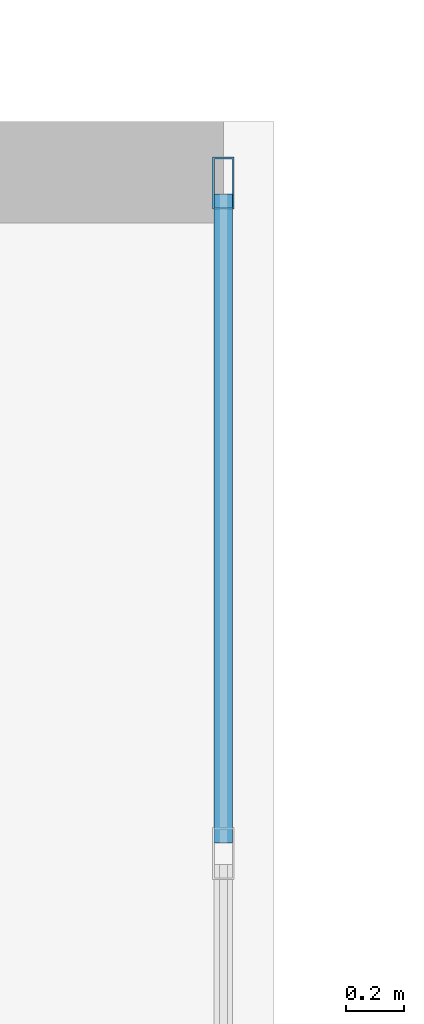
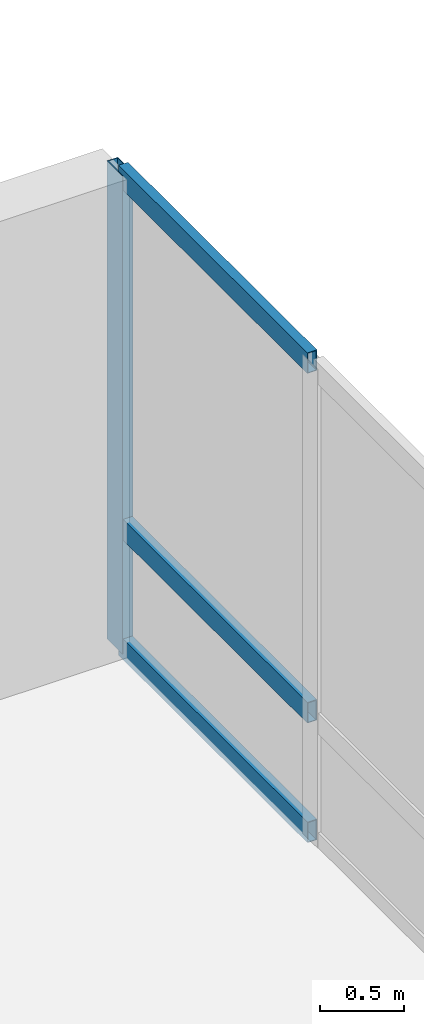
# One storey, part 4 of 16: 4 members, 1 element without a shape of its own.
"""IFC4 building model written with IfcOpenShell, lengths in metres."""

from ifc_helpers import new_model, si_unit, direction, frame, origin, origin_2d, place, context, subcontext, project, spatial, hollow_rectangle, extrude, material, layer, layer_set, material_profile, profile_set, type_object, element, aggregate, save


model = new_model("IFC4")

# Units and contexts
model_context = context("Model", 3, precision=1e-05, world=origin(), true_north=direction((0.0, 1.0)))
body_context = subcontext(model_context, "Body", "Model", "MODEL_VIEW")
ifc_project = project(units=[si_unit("LENGTHUNIT", "METRE"), si_unit("AREAUNIT", "SQUARE_METRE"), si_unit("VOLUMEUNIT", "CUBIC_METRE"), si_unit("PLANEANGLEUNIT", "RADIAN"), si_unit("MASSUNIT", "GRAM", prefix="KILO")], contexts=[model_context])

# Site, building, storey
site_placement = place(None, origin())
site = spatial("IfcSite", under=ifc_project, at=site_placement, CompositionType="ELEMENT")
building_placement = place(site_placement, origin())
building = spatial("IfcBuilding", under=site, at=building_placement, Name="Koriwani Terraces Tower", CompositionType="ELEMENT")
storey_placement = place(building_placement, frame((0.0, 0.0, 260.10009765625)))
storey = spatial("IfcBuildingStorey", under=building, at=storey_placement, Name="L64", CompositionType="ELEMENT", Elevation=260.10009765625)

# Curtain wall, members
ifc_material = material(Name="Anodised Bronze Aluminium", Category="aluminium")
ifc_layer = layer(ifc_material, 0.169921875, Name="Anodised Bronze Aluminium")
ifc_layer_set = layer_set([ifc_layer], Name="Anodised Bronze Aluminium")
curtain_wall_type = type_object("IfcCurtainWallType", Name="CW_RES_ZONE4", PredefinedType="NOTDEFINED", material=ifc_layer_set)
curtain_wall_placement = place(storey_placement, origin())
curtain_wall = element("IfcCurtainWall", 1, at=curtain_wall_placement, inside=storey, type_object=curtain_wall_type, Name="L64 Unitised Curtain Wall (E_TIP) Bay 1", PredefinedType="NOTDEFINED")
ifc_material_profile_1 = material_profile(ifc_material, hollow_rectangle(XDim=0.074951171875, YDim=0.179931640625, WallThickness=0.006103515625, at=origin_2d()), Name="Anodised Bronze Aluminium", Category="LoadBearing")
ifc_profile_set_1 = profile_set([ifc_material_profile_1], Name="Anodised Bronze Aluminium")
member_type_1 = type_object("IfcMemberType", Name="CW_MULLION_180X75", PredefinedType="MULLION", material=ifc_profile_set_1)
member_1_placement = place(storey_placement, frame((75.425048828125, 30.387451171875, 0.0), z_axis=(0.0, 0.0, 1.0), x_axis=(1.0, 0.0, 0.0)))
member_1 = element("IfcMember", 2, at=member_1_placement, type_object=member_type_1, Name="CW-Z4 mullion 1", PredefinedType="MULLION", context=body_context, shape_type="SweptSolid", body=[
    extrude(hollow_rectangle(XDim=0.074951171875, YDim=0.179931640625, WallThickness=0.006103515625, at=origin_2d()), origin(), (0.0, 0.0, 1.0), 3.469970703125),
])
ifc_material_profile_2 = material_profile(ifc_material, hollow_rectangle(XDim=0.06494140625, YDim=0.14990234375, WallThickness=0.0048828125, at=origin_2d()), Name="Anodised Bronze Aluminium", Category="LoadBearing")
ifc_profile_set_2 = profile_set([ifc_material_profile_2], Name="Anodised Bronze Aluminium")
member_type_2 = type_object("IfcMemberType", Name="CW_TRANSOM_150X65", PredefinedType="USERDEFINED", material=ifc_profile_set_2)
member_2_placement = place(storey_placement, frame((75.425048828125, 30.35009765625, 0.032470703125), z_axis=(0.0, -1.0, 0.0), x_axis=(1.0, 0.0, 0.0)))
member_2 = element("IfcMember", 3, at=member_2_placement, type_object=member_type_2, Name="CW-Z4 transom 1.1", ObjectType="TRANSOM", PredefinedType="USERDEFINED", context=body_context, shape_type="SweptSolid", body=[
    extrude(hollow_rectangle(XDim=0.06494140625, YDim=0.14990234375, WallThickness=0.0048828125, at=origin_2d()), origin(), (0.0, 0.0, 1.0), 2.2451171875),
])
member_3_placement = place(storey_placement, frame((75.425048828125, 30.35009765625, 0.89990234375), z_axis=(0.0, -1.0, 0.0), x_axis=(1.0, 0.0, 0.0)))
member_3 = element("IfcMember", 4, at=member_3_placement, type_object=member_type_2, Name="CW-Z4 transom 1.2", ObjectType="TRANSOM", PredefinedType="USERDEFINED", context=body_context, shape_type="SweptSolid", body=[
    extrude(hollow_rectangle(XDim=0.06494140625, YDim=0.14990234375, WallThickness=0.0048828125, at=origin_2d()), origin(), (0.0, 0.0, 1.0), 2.2451171875),
])
member_4_placement = place(storey_placement, frame((75.425048828125, 30.35009765625, 3.4375), z_axis=(0.0, -1.0, 0.0), x_axis=(1.0, 0.0, 0.0)))
member_4 = element("IfcMember", 5, at=member_4_placement, type_object=member_type_2, Name="CW-Z4 transom 1.3", ObjectType="TRANSOM", PredefinedType="USERDEFINED", context=body_context, shape_type="SweptSolid", body=[
    extrude(hollow_rectangle(XDim=0.06494140625, YDim=0.14990234375, WallThickness=0.0048828125, at=origin_2d()), origin(), (0.0, 0.0, 1.0), 2.2451171875),
])
aggregate(curtain_wall, [member_1, member_2, member_3, member_4])

save(model, "model.ifc")
